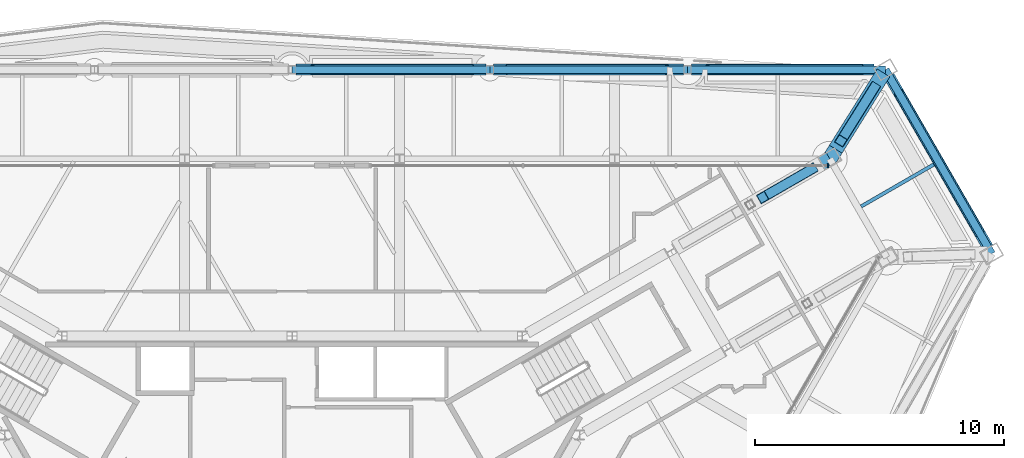
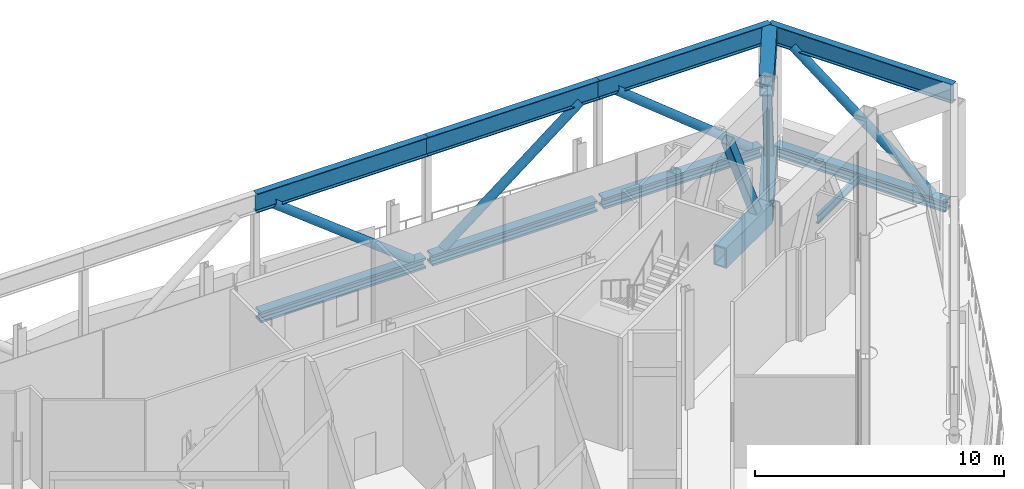
# One storey, part 12 of 24: 12 beams, 7 members, 1 element without a shape of its own.
"""IFC4 building model written with IfcOpenShell, lengths in metres."""

from ifc_helpers import new_model, si_unit, direction, frame, origin, origin_2d, place, context, subcontext, project, spatial, rectangle, hollow_rectangle, hollow_circle, i_section, extrude, material, material_profile, profile_set, type_object, element, aggregate, save


model = new_model("IFC4")

# Units and contexts
model_context = context("Model", 3, precision=1e-05, world=origin(), true_north=direction((0.0, 1.0)))
body_context = subcontext(model_context, "Body", "Model", "MODEL_VIEW")
ifc_project = project(units=[si_unit("LENGTHUNIT", "METRE"), si_unit("AREAUNIT", "SQUARE_METRE"), si_unit("VOLUMEUNIT", "CUBIC_METRE"), si_unit("PLANEANGLEUNIT", "RADIAN"), si_unit("MASSUNIT", "GRAM", prefix="KILO")], contexts=[model_context])

# Site, building, storey
site_placement = place(None, origin())
site = spatial("IfcSite", under=ifc_project, at=site_placement, CompositionType="ELEMENT")
building_placement = place(site_placement, origin())
building = spatial("IfcBuilding", under=site, at=building_placement, Name="Verrane Prism Tower", CompositionType="ELEMENT")
storey_placement = place(building_placement, frame((0.0, 0.0, 200.60009765625)))
storey = spatial("IfcBuildingStorey", under=building, at=storey_placement, Name="L50", CompositionType="ELEMENT", Elevation=200.60009765625)

# Beams
ifc_material_1 = material(Name="Steel A992", Category="steel")
ifc_material_profile_1 = material_profile(ifc_material_1, i_section(OverallWidth=0.44189453125, OverallDepth=0.53076171875, WebThickness=0.06591796875, FlangeThickness=0.105712890625, FilletRadius=0.01513671875, at=origin_2d()), Name="W14x605")
ifc_profile_set_1 = profile_set([ifc_material_profile_1], Name="Steel A992")
beam_type_1 = type_object("IfcBeamType", Name="Belt truss chord W14x605", PredefinedType="BEAM", material=ifc_profile_set_1)
beam_1_placement = place(storey_placement, frame((23.398193359375, 18.7099609375, -0.4248046875), z_axis=(-1.0, 0.0, 0.0), x_axis=(0.0, -1.0, 0.0)))
element("IfcBeam", 1, at=beam_1_placement, inside=storey, type_object=beam_type_1, Name="Belt truss chord L50", PredefinedType="BEAM", context=body_context, shape_type="SweptSolid", body=[
    extrude(i_section(OverallWidth=0.44189453125, OverallDepth=0.53076171875, WebThickness=0.06591796875, FlangeThickness=0.105712890625, FilletRadius=0.01513671875, at=origin_2d()), origin(), (0.0, 0.0, 1.0), 7.345703125),
])
for number, where, z_axis, x_axis, name in (
    (2, (15.74755859375, 18.7099609375, -0.4248046875), (-1.0, 0.0, 0.0), (0.0, -1.0, 0.0), "Belt truss chord L50"),
    (3, (7.797607421875, 18.7099609375, -0.4248046875), (-1.0, 0.0, 0.0), (0.0, -1.0, 0.0), "Belt truss chord L50"),
):
    element("IfcBeam", number, at=place(storey_placement, frame(where, z_axis=z_axis, x_axis=x_axis)), inside=storey, type_object=beam_type_1, Name=name, PredefinedType="BEAM", context=body_context, shape_type="SweptSolid", body=[
        extrude(i_section(OverallWidth=0.44189453125, OverallDepth=0.53076171875, WebThickness=0.06591796875, FlangeThickness=0.105712890625, FilletRadius=0.01513671875, at=origin_2d()), origin(), (0.0, 0.0, 1.0), 7.645263671875),
    ])
beam_2_placement = place(storey_placement, frame((27.97998046875, 11.56982421875, -0.4248046875), z_axis=(-0.499772118917, 0.86615693102, 0.0), x_axis=(-0.86615693102, -0.499772118917, 0.0)))
element("IfcBeam", 4, at=beam_2_placement, inside=storey, type_object=beam_type_1, Name="Belt truss chord L50", PredefinedType="BEAM", context=body_context, shape_type="SweptSolid", body=[
    extrude(i_section(OverallWidth=0.44189453125, OverallDepth=0.53076171875, WebThickness=0.06591796875, FlangeThickness=0.105712890625, FilletRadius=0.01513671875, at=origin_2d()), origin(), (0.0, 0.0, 1.0), 7.943603515625),
])
ifc_material_2 = material(Name="Steel A992", Category="steel")
ifc_material_profile_2 = material_profile(ifc_material_2, i_section(OverallWidth=0.307373046875, OverallDepth=0.927001953125, WebThickness=0.01953125, FlangeThickness=0.031982421875, FilletRadius=0.01904296875, at=origin_2d()), Name="W36x194")
ifc_profile_set_2 = profile_set([ifc_material_profile_2], Name="Steel A992")
beam_type_2 = type_object("IfcBeamType", Name="Belt truss chord W36x194", PredefinedType="BEAM", material=ifc_profile_set_2)
beam_3_placement = place(storey_placement, frame((23.860107421875, 18.7099609375, 5.176513671875), z_axis=(-1.0, 0.0, 0.0), x_axis=(0.0, -1.0, 0.0)))
element("IfcBeam", 5, at=beam_3_placement, inside=storey, type_object=beam_type_2, Name="Belt truss chord L50", PredefinedType="BEAM", context=body_context, shape_type="SweptSolid", body=[
    extrude(i_section(OverallWidth=0.307373046875, OverallDepth=0.927001953125, WebThickness=0.01953125, FlangeThickness=0.031982421875, FilletRadius=0.01904296875, at=origin_2d()), origin(), (0.0, 0.0, 1.0), 7.960205078125),
])
for number, where, z_axis, x_axis, name in (
    (6, (15.89990234375, 18.7099609375, 5.176513671875), (-1.0, 0.0, 0.0), (0.0, -1.0, 0.0), "Belt truss chord L50"),
    (7, (7.949951171875, 18.7099609375, 5.176513671875), (-1.0, 0.0, 0.0), (0.0, -1.0, 0.0), "Belt truss chord L50"),
):
    element("IfcBeam", number, at=place(storey_placement, frame(where, z_axis=z_axis, x_axis=x_axis)), inside=storey, type_object=beam_type_2, Name=name, PredefinedType="BEAM", context=body_context, shape_type="SweptSolid", body=[
        extrude(i_section(OverallWidth=0.307373046875, OverallDepth=0.927001953125, WebThickness=0.01953125, FlangeThickness=0.031982421875, FilletRadius=0.01904296875, at=origin_2d()), origin(), (0.0, 0.0, 1.0), 7.949951171875),
    ])
beam_4_placement = place(storey_placement, frame((28.1298828125, 11.31005859375, 5.176513671875), z_axis=(-0.499775228782, 0.866155136622, 0.0), x_axis=(-0.866155136622, -0.499775228782, 0.0)))
element("IfcBeam", 8, at=beam_4_placement, inside=storey, type_object=beam_type_2, Name="Belt truss chord L50", PredefinedType="BEAM", context=body_context, shape_type="SweptSolid", body=[
    extrude(i_section(OverallWidth=0.307373046875, OverallDepth=0.927001953125, WebThickness=0.01953125, FlangeThickness=0.031982421875, FilletRadius=0.01904296875, at=origin_2d()), origin(), (0.0, 0.0, 1.0), 8.54345703125),
])

# Members
ifc_material_3 = material(Name="Steel A500 Grade C", Category="steel")
ifc_material_profile_3 = material_profile(ifc_material_3, hollow_circle(Radius=0.203125, WallThickness=0.0126953125, at=origin_2d()), Name="HSS16.000x0.500")
ifc_profile_set_3 = profile_set([ifc_material_profile_3], Name="Steel A500 Grade C")
member_type_1 = type_object("IfcMemberType", Name="Belt truss diagonal HSS16.000x0.500", PredefinedType="BRACE", material=ifc_profile_set_3)
member_1_placement = place(storey_placement, frame((27.645751953125, 12.1494140625, -0.1591796875), z_axis=(-0.396481573999, 0.687083699021, 0.608866448426), x_axis=(-0.866138038071, -0.499804860928, 0.0)))
element("IfcMember", 9, at=member_1_placement, inside=storey, type_object=member_type_1, Name="Belt truss diagonal L50", PredefinedType="BRACE", context=body_context, shape_type="SweptSolid", body=[
    extrude(hollow_circle(Radius=0.203125, WallThickness=0.0126953125, at=origin_2d()), origin(), (0.0, 0.0, 1.0), 8.1904296875),
])
member_2_placement = place(storey_placement, frame((22.906982421875, 18.7099609375, -0.1591796875), z_axis=(-0.779123186779, 0.0, 0.626870847802), x_axis=(0.0, -1.0, 0.0)))
element("IfcMember", 10, at=member_2_placement, inside=storey, type_object=member_type_1, Name="Belt truss diagonal L50", PredefinedType="BRACE", context=body_context, shape_type="SweptSolid", body=[
    extrude(hollow_circle(Radius=0.203125, WallThickness=0.0126953125, at=origin_2d()), origin(), (0.0, 0.0, 1.0), 7.955078125),
])
for number, where, z_axis, x_axis, name in (
    (11, (8.666748046875, 18.7099609375, -0.1591796875), (0.789261558693, 0.0, 0.614057156924), (0.0, 1.0, 0.0), "Belt truss diagonal L50"),
    (12, (7.2333984375, 18.7099609375, -0.1591796875), (-0.789261558693, 0.0, 0.614057156924), (0.0, -1.0, 0.0), "Belt truss diagonal L50"),
):
    element("IfcMember", number, at=place(storey_placement, frame(where, z_axis=z_axis, x_axis=x_axis)), inside=storey, type_object=member_type_1, Name=name, PredefinedType="BRACE", context=body_context, shape_type="SweptSolid", body=[
        extrude(hollow_circle(Radius=0.203125, WallThickness=0.0126953125, at=origin_2d()), origin(), (0.0, 0.0, 1.0), 8.12109375),
    ])

# Beam
ifc_material_4 = material(Name="Steel A992", Category="steel")
ifc_material_profile_4 = material_profile(ifc_material_4, i_section(OverallWidth=0.140380859375, OverallDepth=0.40380859375, WebThickness=0.007080078125, FlangeThickness=0.01123046875, FilletRadius=0.01025390625, at=origin_2d()), Name="W16x31")
ifc_profile_set_4 = profile_set([ifc_material_profile_4], Name="Steel A992")
beam_type_3 = type_object("IfcBeamType", Name="Floor beam W16x31", PredefinedType="BEAM", material=ifc_profile_set_4)
beam_5_placement = place(storey_placement, frame((22.880615234375, 13.2119140625, -0.362060546875), z_axis=(0.866044658551, 0.499966648284, 0.0), x_axis=(-0.499966648284, 0.866044658551, 0.0)))
element("IfcBeam", 13, at=beam_5_placement, inside=storey, type_object=beam_type_3, Name="Floor beam L50", PredefinedType="BEAM", context=body_context, shape_type="SweptSolid", body=[
    extrude(i_section(OverallWidth=0.140380859375, OverallDepth=0.40380859375, WebThickness=0.007080078125, FlangeThickness=0.01123046875, FilletRadius=0.01025390625, at=origin_2d()), origin(), (0.0, 0.0, 1.0), 3.375244140625),
])

# Curtain wall, member
ifc_material_5 = material(Name="Aluminium framed insulated glazing", Category="aluminium")
curtain_wall_type = type_object("IfcCurtainWallType", Name="Curtain wall CW-B 5600 module", PredefinedType="NOTDEFINED", material=ifc_material_5)
curtain_wall_placement = place(storey_placement, origin())
curtain_wall = element("IfcCurtainWall", 14, at=curtain_wall_placement, inside=storey, type_object=curtain_wall_type, Name="Refuge lounge glazing north face L50 1", PredefinedType="NOTDEFINED")
ifc_material_6 = material(Name="Aluminium alloy 6063-T6", Category="aluminium")
ifc_material_profile_5 = material_profile(ifc_material_6, rectangle(XDim=0.159912109375, YDim=0.06005859375, at=origin_2d()), Name="Mullion 60x160 aluminium")
ifc_profile_set_5 = profile_set([ifc_material_profile_5], Name="Aluminium alloy 6063-T6")
member_type_2 = type_object("IfcMemberType", Name="Mullion 60x160 aluminium", PredefinedType="MULLION", material=ifc_profile_set_5)
member_3_placement = place(storey_placement, frame((21.550048828125, 14.85107421875, 0.0), z_axis=(0.0, 0.0, 1.0), x_axis=(0.0, -1.0, 0.0)))
member_3 = element("IfcMember", 15, at=member_3_placement, type_object=member_type_2, Name="CW50.2.1 mullion 1", PredefinedType="MULLION", context=body_context, shape_type="SweptSolid", body=[
    extrude(rectangle(XDim=0.159912109375, YDim=0.06005859375, at=origin_2d()), origin(), (0.0, 0.0, 1.0), 4.522216796875),
])
aggregate(curtain_wall, [member_3])

# Beams
ifc_material_7 = material(Name="Steel A572 Grade 50", Category="steel")
ifc_material_profile_6 = material_profile(ifc_material_7, hollow_rectangle(XDim=0.60009765625, YDim=1.0, WallThickness=0.06005859375, at=origin_2d()), Name="BOX 1000x600x60")
ifc_profile_set_6 = profile_set([ifc_material_profile_6], Name="Steel A572 Grade 50")
beam_type_4 = type_object("IfcBeamType", Name="Outrigger truss chord BOX 1000x600x60", PredefinedType="BEAM", material=ifc_profile_set_6)
beam_6_placement = place(storey_placement, frame((23.619873046875, 18.326171875, -0.66015625), z_axis=(-0.530394678022, -0.847750839295, 0.0), x_axis=(0.847750839295, -0.530394678022, 0.0)))
element("IfcBeam", 16, at=beam_6_placement, inside=storey, type_object=beam_type_4, Name="Outrigger truss chord L50", PredefinedType="BEAM", context=body_context, shape_type="SweptSolid", body=[
    extrude(hollow_rectangle(XDim=0.60009765625, YDim=1.0, WallThickness=0.06005859375, at=origin_2d()), origin(), (0.0, 0.0, 1.0), 3.770263671875),
])
beam_7_placement = place(storey_placement, frame((21.6201171875, 15.1298828125, -0.66015625), z_axis=(-0.866337389553, -0.499459235036, 0.0), x_axis=(0.499459235036, -0.866337389553, 0.0)))
element("IfcBeam", 17, at=beam_7_placement, inside=storey, type_object=beam_type_4, Name="Outrigger truss chord L50", PredefinedType="BEAM", context=body_context, shape_type="SweptSolid", body=[
    extrude(hollow_rectangle(XDim=0.60009765625, YDim=1.0, WallThickness=0.06005859375, at=origin_2d()), origin(), (0.0, 0.0, 1.0), 3.69384765625),
])
beam_8_placement = place(storey_placement, frame((23.780517578125, 18.582763671875, 5.139892578125), z_axis=(-0.530471685248, -0.847702654915, 0.0), x_axis=(0.847702654915, -0.530471685248, 0.0)))
element("IfcBeam", 18, at=beam_8_placement, inside=storey, type_object=beam_type_4, Name="Outrigger truss chord L50", PredefinedType="BEAM", context=body_context, shape_type="SweptSolid", body=[
    extrude(hollow_rectangle(XDim=0.60009765625, YDim=1.0, WallThickness=0.06005859375, at=origin_2d()), origin(), (0.0, 0.0, 1.0), 3.6201171875),
])

# Members
ifc_material_8 = material(Name="Steel A500 Grade C", Category="steel")
ifc_material_profile_7 = material_profile(ifc_material_8, hollow_rectangle(XDim=0.406494140625, YDim=0.406494140625, WallThickness=0.01904296875, InnerFilletRadius=0.009521484375, OuterFilletRadius=0.028564453125, at=origin_2d()), Name="HSS16x16x3/4")
ifc_profile_set_7 = profile_set([ifc_material_profile_7], Name="Steel A500 Grade C")
member_type_3 = type_object("IfcMemberType", Name="Outrigger truss diagonal HSS16x16x3/4", PredefinedType="BRACE", material=ifc_profile_set_7)
member_4_placement = place(storey_placement, frame((23.40966796875, 17.990234375, -0.22021484375), z_axis=(-0.242185099751, -0.38707235775, 0.889674866074), x_axis=(0.847737476757, -0.530416035298, 0.0)))
element("IfcMember", 19, at=member_4_placement, inside=storey, type_object=member_type_3, Name="Outrigger truss diagonal L50", PredefinedType="BRACE", context=body_context, shape_type="SweptSolid", body=[
    extrude(hollow_rectangle(XDim=0.406494140625, YDim=0.406494140625, WallThickness=0.01904296875, InnerFilletRadius=0.009521484375, OuterFilletRadius=0.028564453125, at=origin_2d()), origin(), (0.0, 0.0, 1.0), 5.5302734375),
])
member_5_placement = place(storey_placement, frame((20.903076171875, 14.716552734375, -0.22021484375), z_axis=(-0.365041803119, -0.210466039594, 0.906889479569), x_axis=(0.499482055714, -0.866324232617, 0.0)))
element("IfcMember", 20, at=member_5_placement, inside=storey, type_object=member_type_3, Name="Outrigger truss diagonal L50", PredefinedType="BRACE", context=body_context, shape_type="SweptSolid", body=[
    extrude(hollow_rectangle(XDim=0.406494140625, YDim=0.406494140625, WallThickness=0.01904296875, InnerFilletRadius=0.009521484375, OuterFilletRadius=0.028564453125, at=origin_2d()), origin(), (0.0, 0.0, 1.0), 5.42529296875),
])

save(model, "model.ifc")
